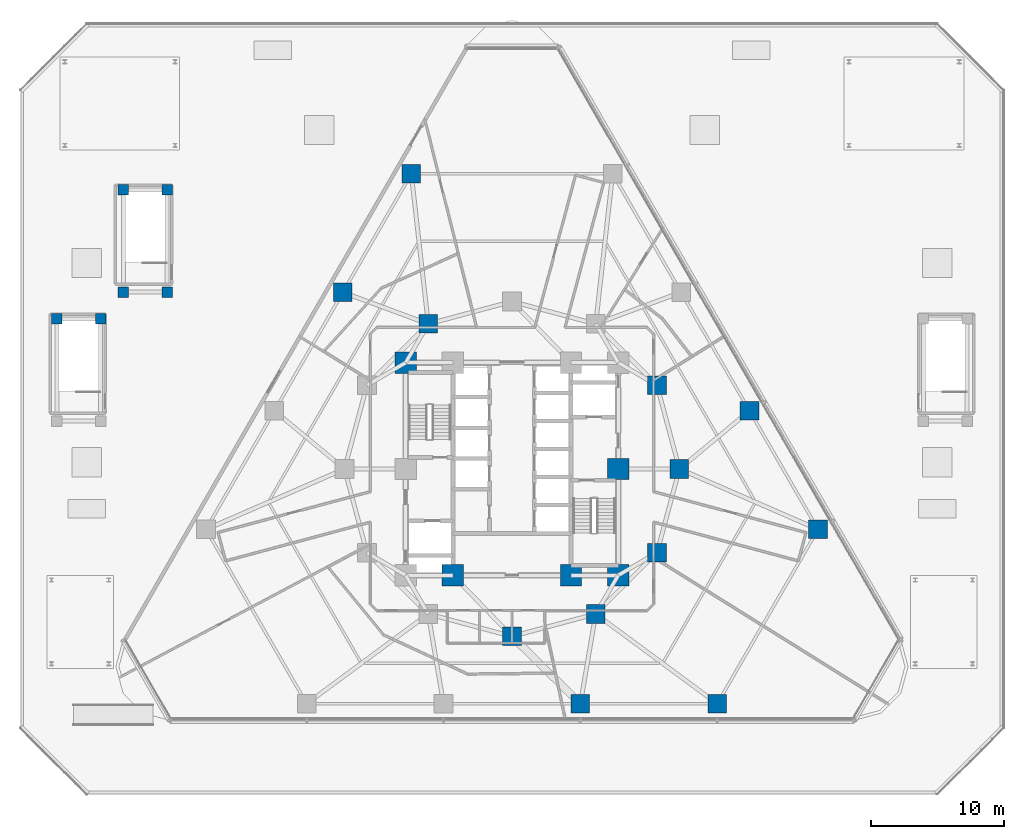
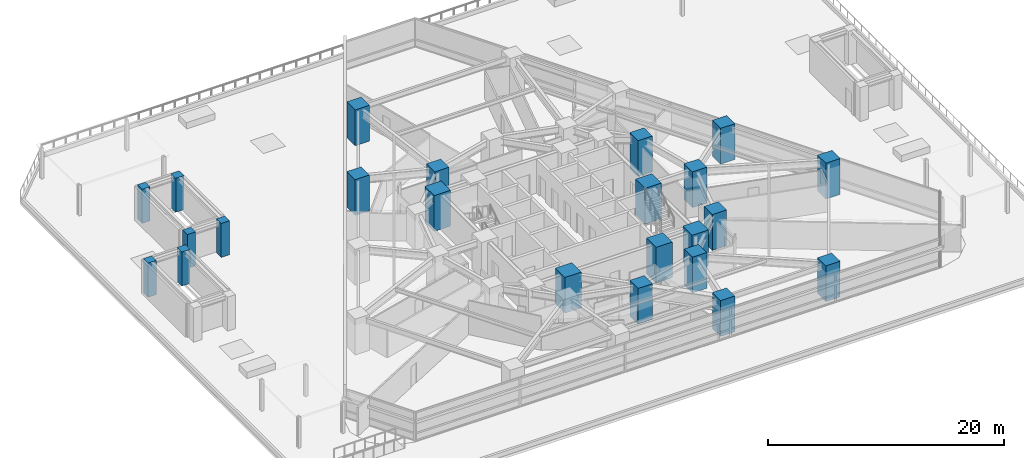
# One storey, part 2 of 23: 23 columns.
"""IFC4 building model written with IfcOpenShell, lengths in metres."""

from ifc_helpers import new_model, si_unit, direction, frame, origin, origin_2d, place, context, subcontext, project, spatial, rectangle, extrude, material, material_profile, profile_set, type_object, element, save


model = new_model("IFC4")

# Units and contexts
model_context = context("Model", 3, precision=1e-05, world=origin(), true_north=direction((0.0, 1.0)))
body_context = subcontext(model_context, "Body", "Model", "MODEL_VIEW")
ifc_project = project(units=[si_unit("LENGTHUNIT", "METRE"), si_unit("AREAUNIT", "SQUARE_METRE"), si_unit("VOLUMEUNIT", "CUBIC_METRE"), si_unit("PLANEANGLEUNIT", "RADIAN"), si_unit("MASSUNIT", "GRAM", prefix="KILO")], contexts=[model_context])

# Site, building, storey
site_placement = place(None, origin())
site = spatial("IfcSite", under=ifc_project, at=site_placement, CompositionType="ELEMENT")
building_placement = place(site_placement, origin())
building = spatial("IfcBuilding", under=site, at=building_placement, Name="Terralouvre Media Tower", CompositionType="ELEMENT")
storey_placement = place(building_placement, frame((0.0, 0.0, 26.0)))
storey = spatial("IfcBuildingStorey", under=building, at=storey_placement, Name="L05", CompositionType="ELEMENT", Elevation=26.0)

# Columns
ifc_material_1 = material(Name="Concrete C60/75", Category="concrete")
ifc_material_profile_1 = material_profile(ifc_material_1, rectangle(XDim=1.39990234375, YDim=1.39990234375, at=origin_2d()), Name="RC 1400x1400")
ifc_profile_set_1 = profile_set([ifc_material_profile_1], Name="Concrete C60/75")
column_type_1 = type_object("IfcColumnType", Name="Structural Column C-RC1400 (RC 1400x1400)", PredefinedType="COLUMN", material=ifc_profile_set_1)
for number, where, z_axis, x_axis, name in (
    (1, (12.60009765625, 0.0, 0.0), (0.0, 0.0, 1.0), (1.0, 0.0, 0.0), "L05 Mega-Frame Column MC01"),
    (2, (10.911865234375, 6.300048828125, 0.0), (0.0, 0.0, 1.0), (1.0, 0.0, 0.0), "L05 Mega-Frame Column MC02"),
    (3, (-6.300048828125, 10.911865234375, 0.0), (0.0, 0.0, 1.0), (1.0, 0.0, 0.0), "L05 Mega-Frame Column MC05"),
    (4, (0.0, -12.60009765625, 0.0), (0.0, 0.0, 1.0), (1.0, 0.0, 0.0), "L05 Mega-Frame Column MC10"),
    (5, (6.300048828125, -10.911865234375, 0.0), (0.0, 0.0, 1.0), (1.0, 0.0, 0.0), "L05 Mega-Frame Column MC11"),
    (6, (10.911865234375, -6.300048828125, 0.0), (0.0, 0.0, 1.0), (1.0, 0.0, 0.0), "L05 Mega-Frame Column MC12"),
    (7, (5.14990234375, -17.666748046875, 0.0), (0.0, 0.0, 1.0), (1.0, 0.0, 0.0), "L05 Perimeter Mega-Column PC13"),
    (8, (15.449951171875, -17.666748046875, 0.0), (0.0, 0.0, 1.0), (1.0, 0.0, 0.0), "L05 Perimeter Mega-Column PC14"),
    (9, (23.02490234375, -4.546630859375, 0.0), (0.0, 0.0, 1.0), (1.0, 0.0, 0.0), "L05 Perimeter Mega-Column PC21"),
    (10, (17.874755859375, 4.373291015625, 0.0), (0.0, 0.0, 1.0), (1.0, 0.0, 0.0), "L05 Perimeter Mega-Column PC22"),
    (11, (-7.574951171875, 22.21337890625, 0.0), (0.0, 0.0, 1.0), (1.0, 0.0, 0.0), "L05 Perimeter Mega-Column PC31"),
    (12, (-12.724853515625, 13.29345703125, 0.0), (0.0, 0.0, 1.0), (1.0, 0.0, 0.0), "L05 Perimeter Mega-Column PC32"),
):
    element("IfcColumn", number, at=place(storey_placement, frame(where, z_axis=z_axis, x_axis=x_axis)), inside=storey, type_object=column_type_1, Name=name, PredefinedType="COLUMN", context=body_context, shape_type="SweptSolid", body=[
        extrude(rectangle(XDim=1.39990234375, YDim=1.39990234375, at=origin_2d()), origin(), (0.0, 0.0, 1.0), 3.699951171875),
    ])
ifc_material_2 = material(Name="Concrete C60/75", Category="concrete")
ifc_material_profile_2 = material_profile(ifc_material_2, rectangle(XDim=1.60009765625, YDim=1.60009765625, at=origin_2d()), Name="RC 1600x1600")
ifc_profile_set_2 = profile_set([ifc_material_profile_2], Name="Concrete C60/75")
column_type_2 = type_object("IfcColumnType", Name="Structural Column C-RC1600 (RC 1600x1600)", PredefinedType="COLUMN", material=ifc_profile_set_2)
for number, where, z_axis, x_axis, name in (
    (13, (-4.449951171875, -8.0, 0.0), (0.0, 0.0, 1.0), (1.0, 0.0, 0.0), "L05 Core Pilaster Column CP2"),
    (14, (4.449951171875, -8.0, 0.0), (0.0, 0.0, 1.0), (1.0, 0.0, 0.0), "L05 Core Pilaster Column CP10"),
    (15, (8.0, -8.0, 0.0), (0.0, 0.0, 1.0), (1.0, 0.0, 0.0), "L05 Core Pilaster Column CP3"),
    (16, (8.0, 0.0, 0.0), (0.0, 0.0, 1.0), (1.0, 0.0, 0.0), "L05 Core Pilaster Column CP4"),
    (17, (-8.0, 8.0, 0.0), (0.0, 0.0, 1.0), (1.0, 0.0, 0.0), "L05 Core Pilaster Column CP7"),
):
    element("IfcColumn", number, at=place(storey_placement, frame(where, z_axis=z_axis, x_axis=x_axis)), inside=storey, type_object=column_type_2, Name=name, PredefinedType="COLUMN", context=body_context, shape_type="SweptSolid", body=[
        extrude(rectangle(XDim=1.60009765625, YDim=1.60009765625, at=origin_2d()), origin(), (0.0, 0.0, 1.0), 3.699951171875),
    ])
ifc_material_3 = material(Name="Concrete C50/60", Category="concrete")
ifc_material_profile_3 = material_profile(ifc_material_3, rectangle(XDim=0.800048828125, YDim=0.800048828125, at=origin_2d()), Name="RC 800x800")
ifc_profile_set_3 = profile_set([ifc_material_profile_3], Name="Concrete C50/60")
column_type_3 = type_object("IfcColumnType", Name="Structural Column C-RC800 (RC 800x800)", PredefinedType="COLUMN", material=ifc_profile_set_3)
for number, where, z_axis, x_axis, name in (
    (18, (-30.949951171875, 11.300048828125, 0.0), (0.0, 0.0, 1.0), (1.0, 0.0, 0.0), "L05 Stair Pavilion Support Column ST3C3"),
    (19, (-34.25, 11.300048828125, 0.0), (0.0, 0.0, 1.0), (1.0, 0.0, 0.0), "L05 Stair Pavilion Support Column ST3C4"),
    (20, (-29.25, 13.300048828125, 0.0), (0.0, 0.0, 1.0), (1.0, 0.0, 0.0), "L05 Stair Pavilion Support Column ST6C1"),
    (21, (-25.949951171875, 13.300048828125, 0.0), (0.0, 0.0, 1.0), (1.0, 0.0, 0.0), "L05 Stair Pavilion Support Column ST6C2"),
    (22, (-25.949951171875, 21.0, 0.0), (0.0, 0.0, 1.0), (1.0, 0.0, 0.0), "L05 Stair Pavilion Support Column ST6C3"),
    (23, (-29.25, 21.0, 0.0), (0.0, 0.0, 1.0), (1.0, 0.0, 0.0), "L05 Stair Pavilion Support Column ST6C4"),
):
    element("IfcColumn", number, at=place(storey_placement, frame(where, z_axis=z_axis, x_axis=x_axis)), inside=storey, type_object=column_type_3, Name=name, PredefinedType="COLUMN", context=body_context, shape_type="SweptSolid", body=[
        extrude(rectangle(XDim=0.800048828125, YDim=0.800048828125, at=origin_2d()), origin(), (0.0, 0.0, 1.0), 3.52001953125),
    ])

save(model, "model.ifc")
